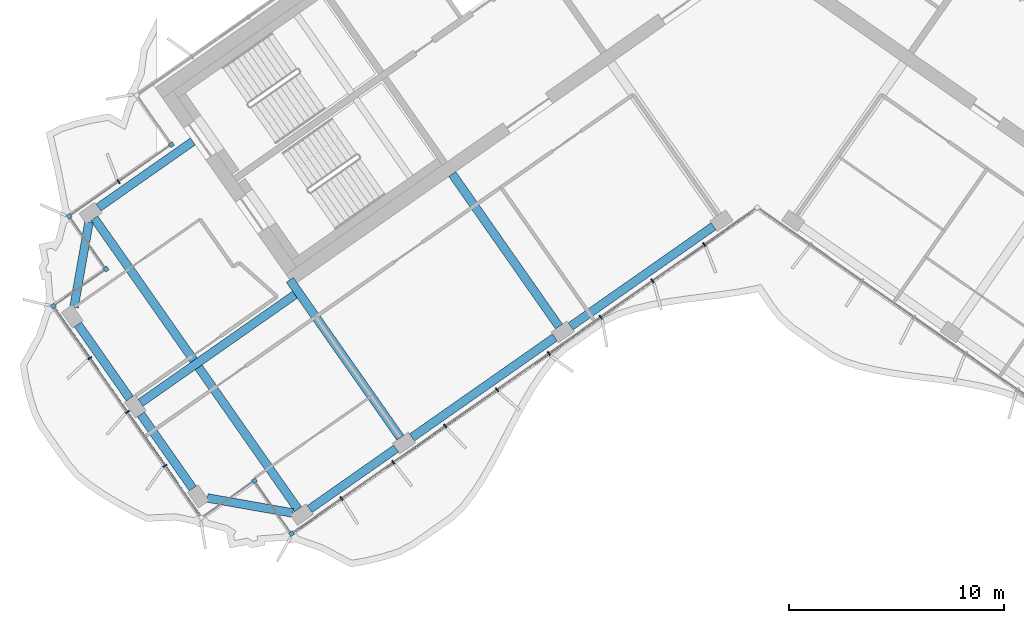
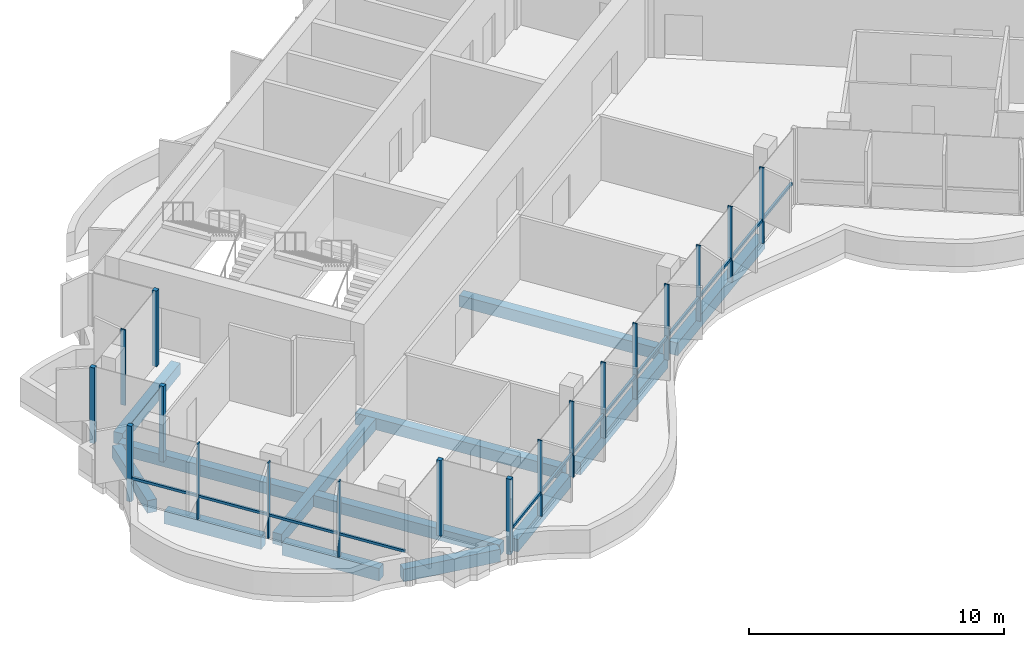
# One storey, part 2 of 18: 20 members, 12 beams, 2 elements without a shape of their own.
"""IFC4 building model written with IfcOpenShell, lengths in metres."""

from ifc_helpers import new_model, si_unit, direction, frame, origin, origin_2d, place, context, subcontext, project, spatial, rectangle, extrude, material, material_profile, profile_set, type_object, element, aggregate, save


model = new_model("IFC4")

# Units and contexts
model_context = context("Model", 3, precision=1e-05, world=origin(), true_north=direction((0.0, 1.0)))
body_context = subcontext(model_context, "Body", "Model", "MODEL_VIEW")
ifc_project = project(units=[si_unit("LENGTHUNIT", "METRE"), si_unit("AREAUNIT", "SQUARE_METRE"), si_unit("VOLUMEUNIT", "CUBIC_METRE"), si_unit("PLANEANGLEUNIT", "RADIAN"), si_unit("MASSUNIT", "GRAM", prefix="KILO")], contexts=[model_context])

# Site, building, storey
site_placement = place(None, origin())
site = spatial("IfcSite", under=ifc_project, at=site_placement, CompositionType="ELEMENT")
building_placement = place(site_placement, origin())
building = spatial("IfcBuilding", under=site, at=building_placement, Name="Tel Ilan Convention Tower", CompositionType="ELEMENT")
storey_placement = place(building_placement, frame((0.0, 0.0, 260.5)))
storey = spatial("IfcBuildingStorey", under=building, at=storey_placement, Name="L61", CompositionType="ELEMENT", Elevation=260.5)

# Beams
ifc_material_1 = material(Name="Concrete C40/50", Category="concrete")
ifc_material_profile_1 = material_profile(ifc_material_1, rectangle(XDim=0.39990234375, YDim=0.550048828125, at=origin_2d()), Name="RC 400x550")
ifc_profile_set_1 = profile_set([ifc_material_profile_1], Name="Concrete C40/50")
beam_type_1 = type_object("IfcBeamType", Name="Beam RC 400x550 Concrete C40/50", PredefinedType="BEAM", material=ifc_profile_set_1)
beam_1_placement = place(storey_placement, frame((-30.6005859375, -12.6982421875, -0.554931640625), z_axis=(0.819146154531, 0.573584847705, 0.0), x_axis=(-0.573584847705, 0.819146154531, 0.0)))
element("IfcBeam", 1, at=beam_1_placement, inside=storey, type_object=beam_type_1, Name="L61 beam W-W-BC-core", PredefinedType="BEAM", context=body_context, shape_type="SweptSolid", body=[
    extrude(rectangle(XDim=0.39990234375, YDim=0.550048828125, at=origin_2d()), origin(), (0.0, 0.0, 1.0), 5.349853515625),
])
beam_2_placement = place(storey_placement, frame((-9.209716796875, -18.229248046875, -0.554931640625), z_axis=(-0.573574099654, 0.819153680457, 0.0), x_axis=(-0.819153680457, -0.573574099654, 0.0)))
element("IfcBeam", 2, at=beam_2_placement, inside=storey, type_object=beam_type_1, Name="L61 beam W-W-F2-core", PredefinedType="BEAM", context=body_context, shape_type="SweptSolid", body=[
    extrude(rectangle(XDim=0.39990234375, YDim=0.550048828125, at=origin_2d()), origin(), (0.0, 0.0, 1.0), 8.64990234375),
])
beam_3_placement = place(storey_placement, frame((-16.58203125, -23.391357421875, -0.554931640625), z_axis=(-0.573584999642, 0.819146048141, 0.0), x_axis=(-0.819146048141, -0.573584999642, 0.0)))
element("IfcBeam", 3, at=beam_3_placement, inside=storey, type_object=beam_type_1, Name="L61 beam W-W-F3-core", PredefinedType="BEAM", context=body_context, shape_type="SweptSolid", body=[
    extrude(rectangle(XDim=0.39990234375, YDim=0.550048828125, at=origin_2d()), origin(), (0.0, 0.0, 1.0), 8.949951171875),
])
beam_4_placement = place(storey_placement, frame((-21.477783203125, -16.748046875, -0.554931640625), z_axis=(-0.819157197737, -0.573569076395, 0.0), x_axis=(0.573569076395, -0.819157197737, 0.0)))
element("IfcBeam", 4, at=beam_4_placement, inside=storey, type_object=beam_type_1, Name="L61 beam W-core-end", PredefinedType="BEAM", context=body_context, shape_type="SweptSolid", body=[
    extrude(rectangle(XDim=0.39990234375, YDim=0.550048828125, at=origin_2d()), origin(), (0.0, 0.0, 1.0), 8.75),
])
beam_5_placement = place(storey_placement, frame((-21.333251953125, -26.718017578125, -0.554931640625), z_axis=(-0.573574554643, 0.819153361872, 0.0), x_axis=(-0.819153361872, -0.573574554643, 0.0)))
element("IfcBeam", 5, at=beam_5_placement, inside=storey, type_object=beam_type_1, Name="L61 beam W-W-FC-W-BC", PredefinedType="BEAM", context=body_context, shape_type="SweptSolid", body=[
    extrude(rectangle(XDim=0.39990234375, YDim=0.550048828125, at=origin_2d()), origin(), (0.0, 0.0, 1.0), 16.499755859375),
])
ifc_material_2 = material(Name="Concrete C40/50", Category="concrete")
ifc_material_profile_2 = material_profile(ifc_material_2, rectangle(XDim=0.39990234375, YDim=0.60009765625, at=origin_2d()), Name="RC 400x600")
ifc_profile_set_2 = profile_set([ifc_material_profile_2], Name="Concrete C40/50")
beam_type_2 = type_object("IfcBeamType", Name="Beam RC 400x600 Concrete C40/50", PredefinedType="BEAM", material=ifc_profile_set_2)
beam_6_placement = place(storey_placement, frame((-2.033935546875, -13.57080078125, -0.580078125), z_axis=(-0.81914553362, -0.573585734437, 0.0), x_axis=(0.573585734437, -0.81914553362, 0.0)))
element("IfcBeam", 6, at=beam_6_placement, inside=storey, type_object=beam_type_2, Name="L61 beam W-W-F1-W-F2", PredefinedType="BEAM", context=body_context, shape_type="SweptSolid", body=[
    extrude(rectangle(XDim=0.39990234375, YDim=0.60009765625, at=origin_2d()), origin(), (0.0, 0.0, 1.0), 8.099853515625),
])
beam_7_placement = place(storey_placement, frame((-9.40625, -18.73291015625, -0.580078125), z_axis=(-0.819155449703, -0.573571572885, 0.0), x_axis=(0.573571572885, -0.819155449703, 0.0)))
element("IfcBeam", 7, at=beam_7_placement, inside=storey, type_object=beam_type_2, Name="L61 beam W-W-F2-W-F3", PredefinedType="BEAM", context=body_context, shape_type="SweptSolid", body=[
    extrude(rectangle(XDim=0.39990234375, YDim=0.60009765625, at=origin_2d()), origin(), (0.0, 0.0, 1.0), 8.10009765625),
])
beam_8_placement = place(storey_placement, frame((-16.778564453125, -23.895263671875, -0.580078125), z_axis=(-0.819154669329, -0.573572687386, 0.0), x_axis=(0.573572687386, -0.819154669329, 0.0)))
element("IfcBeam", 8, at=beam_8_placement, inside=storey, type_object=beam_type_2, Name="L61 beam W-W-F3-W-FC", PredefinedType="BEAM", context=body_context, shape_type="SweptSolid", body=[
    extrude(rectangle(XDim=0.39990234375, YDim=0.60009765625, at=origin_2d()), origin(), (0.0, 0.0, 1.0), 4.900146484375),
])
beam_9_placement = place(storey_placement, frame((-21.578857421875, -26.89013671875, -0.580078125), z_axis=(-0.984804894423, 0.173664388751, 0.0), x_axis=(-0.173664388751, -0.984804894423, 0.0)))
element("IfcBeam", 9, at=beam_9_placement, inside=storey, type_object=beam_type_2, Name="L61 beam W-W-FC-W-E1", PredefinedType="BEAM", context=body_context, shape_type="SweptSolid", body=[
    extrude(rectangle(XDim=0.39990234375, YDim=0.60009765625, at=origin_2d()), origin(), (0.0, 0.0, 1.0), 4.030517578125),
])
for number, where, z_axis, x_axis, name in (
    (10, (-26.22412109375, -25.748046875, -0.580078125), (-0.573563773994, 0.819160910421, 0.0), (-0.819160910421, -0.573563773994, 0.0), "L61 beam W-W-E1-W-E2"),
    (11, (-29.1494140625, -21.5703125, -0.580078125), (-0.573563773994, 0.819160910421, 0.0), (-0.819160910421, -0.573563773994, 0.0), "L61 beam W-W-E2-W-E3"),
):
    element("IfcBeam", number, at=place(storey_placement, frame(where, z_axis=z_axis, x_axis=x_axis)), inside=storey, type_object=beam_type_2, Name=name, PredefinedType="BEAM", context=body_context, shape_type="SweptSolid", body=[
        extrude(rectangle(XDim=0.39990234375, YDim=0.60009765625, at=origin_2d()), origin(), (0.0, 0.0, 1.0), 4.199951171875),
    ])
beam_10_placement = place(storey_placement, frame((-31.742919921875, -17.343505859375, -0.580078125), z_axis=(0.173664388751, 0.984804894423, 0.0), x_axis=(-0.984804894423, 0.173664388751, 0.0)))
element("IfcBeam", 12, at=beam_10_placement, inside=storey, type_object=beam_type_2, Name="L61 beam W-W-E3-W-BC", PredefinedType="BEAM", context=body_context, shape_type="SweptSolid", body=[
    extrude(rectangle(XDim=0.39990234375, YDim=0.60009765625, at=origin_2d()), origin(), (0.0, 0.0, 1.0), 4.030517578125),
])

# Curtain wall, member
ifc_material_3 = material(Name="Aluminium, bronze anodised", Category="aluminium")
curtain_wall_type_1 = type_object("IfcCurtainWallType", Name="CW2 STICK CURTAIN WALL, SPANDREL PANELS", PredefinedType="NOTDEFINED", material=ifc_material_3)
curtain_wall_1_placement = place(storey_placement, origin())
curtain_wall_1 = element("IfcCurtainWall", 13, at=curtain_wall_1_placement, inside=storey, type_object=curtain_wall_type_1, Name="Curtain wall CW2-46.01", PredefinedType="NOTDEFINED")
ifc_material_4 = material(Name="Aluminium, bronze anodised", Category="aluminium")
ifc_material_profile_3 = material_profile(ifc_material_4, rectangle(XDim=0.199951171875, YDim=0.199951171875, at=origin_2d()), Name="CW CORNER MULLION 200x200")
ifc_profile_set_3 = profile_set([ifc_material_profile_3], Name="Aluminium, bronze anodised")
member_type_1 = type_object("IfcMemberType", Name="CW CORNER MULLION 200x200", PredefinedType="MULLION", material=ifc_profile_set_3)
member_1_placement = place(storey_placement, frame((-27.213623046875, -9.77734375, 0.0), z_axis=(0.0, 0.0, 1.0), x_axis=(0.573576436351, -0.819152044289, 0.0)))
member_1 = element("IfcMember", 14, at=member_1_placement, type_object=member_type_1, Name="Corner mullion", PredefinedType="MULLION", context=body_context, shape_type="SweptSolid", body=[
    extrude(rectangle(XDim=0.199951171875, YDim=0.199951171875, at=origin_2d()), origin(), (0.0, 0.0, 1.0), 3.6201171875),
])
aggregate(curtain_wall_1, [member_1])

# Curtain wall, members
ifc_material_5 = material(Name="Aluminium, bronze anodised", Category="aluminium")
curtain_wall_type_2 = type_object("IfcCurtainWallType", Name="CW5 STICK CURTAIN WALL, UPPER OFFICE LOW-IRON TINTED GLASS", PredefinedType="NOTDEFINED", material=ifc_material_5)
curtain_wall_2_placement = place(storey_placement, origin())
curtain_wall_2 = element("IfcCurtainWall", 15, at=curtain_wall_2_placement, inside=storey, type_object=curtain_wall_type_2, Name="Curtain wall CW5-46.02", PredefinedType="NOTDEFINED")
member_2_placement = place(storey_placement, frame((-31.964599609375, -13.10400390625, 0.0), z_axis=(0.0, 0.0, 1.0), x_axis=(-0.819152044289, -0.573576436351, 0.0)))
member_2 = element("IfcMember", 16, at=member_2_placement, type_object=member_type_1, Name="Corner mullion", PredefinedType="MULLION", context=body_context, shape_type="SweptSolid", body=[
    extrude(rectangle(XDim=0.199951171875, YDim=0.199951171875, at=origin_2d()), origin(), (0.0, 0.0, 1.0), 3.6201171875),
])
member_3_placement = place(storey_placement, frame((-30.243896484375, -15.5615234375, 0.0), z_axis=(0.0, 0.0, 1.0), x_axis=(0.573576436351, -0.819152044289, 0.0)))
member_3 = element("IfcMember", 17, at=member_3_placement, type_object=member_type_1, Name="Corner mullion", PredefinedType="MULLION", context=body_context, shape_type="SweptSolid", body=[
    extrude(rectangle(XDim=0.199951171875, YDim=0.199951171875, at=origin_2d()), origin(), (0.0, 0.0, 1.0), 3.6201171875),
])
member_4_placement = place(storey_placement, frame((-32.701416015625, -17.2822265625, 0.0), z_axis=(0.0, 0.0, 1.0), x_axis=(-0.819152044289, -0.573576436351, 0.0)))
member_4 = element("IfcMember", 18, at=member_4_placement, type_object=member_type_1, Name="Corner mullion", PredefinedType="MULLION", context=body_context, shape_type="SweptSolid", body=[
    extrude(rectangle(XDim=0.199951171875, YDim=0.199951171875, at=origin_2d()), origin(), (0.0, 0.0, 1.0), 3.6201171875),
])
member_5_placement = place(storey_placement, frame((-23.36083984375, -25.391357421875, 0.0), z_axis=(0.0, 0.0, 1.0), x_axis=(0.819152044289, 0.573576436351, 0.0)))
member_5 = element("IfcMember", 19, at=member_5_placement, type_object=member_type_1, Name="Corner mullion", PredefinedType="MULLION", context=body_context, shape_type="SweptSolid", body=[
    extrude(rectangle(XDim=0.199951171875, YDim=0.199951171875, at=origin_2d()), origin(), (0.0, 0.0, 1.0), 3.6201171875),
])
member_6_placement = place(storey_placement, frame((-21.64013671875, -27.8486328125, 0.0), z_axis=(0.0, 0.0, 1.0), x_axis=(0.573576436351, -0.819152044289, 0.0)))
member_6 = element("IfcMember", 20, at=member_6_placement, type_object=member_type_1, Name="Corner mullion", PredefinedType="MULLION", context=body_context, shape_type="SweptSolid", body=[
    extrude(rectangle(XDim=0.199951171875, YDim=0.199951171875, at=origin_2d()), origin(), (0.0, 0.0, 1.0), 3.6201171875),
])
ifc_material_6 = material(Name="Aluminium, bronze anodised", Category="aluminium")
ifc_material_profile_4 = material_profile(ifc_material_6, rectangle(XDim=0.06005859375, YDim=0.199951171875, at=origin_2d()), Name="CW MULLION 60x200")
ifc_profile_set_4 = profile_set([ifc_material_profile_4], Name="Aluminium, bronze anodised")
member_type_2 = type_object("IfcMemberType", Name="CW MULLION 60x200", PredefinedType="MULLION", material=ifc_profile_set_4)
member_7_placement = place(storey_placement, frame((-29.6708984375, -11.498046875, 0.0), z_axis=(0.0, 0.0, 1.0), x_axis=(-0.819152044289, -0.573576436351, 0.0)))
member_7 = element("IfcMember", 21, at=member_7_placement, type_object=member_type_2, Name="Mullion", PredefinedType="MULLION", context=body_context, shape_type="SweptSolid", body=[
    extrude(rectangle(XDim=0.06005859375, YDim=0.199951171875, at=origin_2d()), origin(), (0.0, 0.0, 1.0), 3.6201171875),
])
member_8_placement = place(storey_placement, frame((-31.00927734375, -19.69873046875, 0.0), z_axis=(0.0, 0.0, 1.0), x_axis=(0.573576436351, -0.819152044289, 0.0)))
member_8 = element("IfcMember", 22, at=member_8_placement, type_object=member_type_2, Name="Mullion", PredefinedType="MULLION", context=body_context, shape_type="SweptSolid", body=[
    extrude(rectangle(XDim=0.06005859375, YDim=0.199951171875, at=origin_2d()), origin(), (0.0, 0.0, 1.0), 3.6201171875),
])
member_9_placement = place(storey_placement, frame((-29.259765625, -22.197021484375, 0.0), z_axis=(0.0, 0.0, 1.0), x_axis=(0.573576436351, -0.819152044289, 0.0)))
member_9 = element("IfcMember", 23, at=member_9_placement, type_object=member_type_2, Name="Mullion", PredefinedType="MULLION", context=body_context, shape_type="SweptSolid", body=[
    extrude(rectangle(XDim=0.06005859375, YDim=0.199951171875, at=origin_2d()), origin(), (0.0, 0.0, 1.0), 3.6201171875),
])
member_10_placement = place(storey_placement, frame((-27.510498046875, -24.695556640625, 0.0), z_axis=(0.0, 0.0, 1.0), x_axis=(0.573576436351, -0.819152044289, 0.0)))
member_10 = element("IfcMember", 24, at=member_10_placement, type_object=member_type_2, Name="Mullion", PredefinedType="MULLION", context=body_context, shape_type="SweptSolid", body=[
    extrude(rectangle(XDim=0.06005859375, YDim=0.199951171875, at=origin_2d()), origin(), (0.0, 0.0, 1.0), 3.6201171875),
])
member_11_placement = place(storey_placement, frame((-19.31494140625, -26.220458984375, 0.0), z_axis=(0.0, 0.0, 1.0), x_axis=(0.819152044289, 0.573576436351, 0.0)))
member_11 = element("IfcMember", 25, at=member_11_placement, type_object=member_type_2, Name="Mullion", PredefinedType="MULLION", context=body_context, shape_type="SweptSolid", body=[
    extrude(rectangle(XDim=0.06005859375, YDim=0.199951171875, at=origin_2d()), origin(), (0.0, 0.0, 1.0), 3.6201171875),
])
member_12_placement = place(storey_placement, frame((-16.90771484375, -24.534912109375, 0.0), z_axis=(0.0, 0.0, 1.0), x_axis=(0.819152044289, 0.573576436351, 0.0)))
member_12 = element("IfcMember", 26, at=member_12_placement, type_object=member_type_2, Name="Mullion", PredefinedType="MULLION", context=body_context, shape_type="SweptSolid", body=[
    extrude(rectangle(XDim=0.06005859375, YDim=0.199951171875, at=origin_2d()), origin(), (0.0, 0.0, 1.0), 3.6201171875),
])
member_13_placement = place(storey_placement, frame((-14.50048828125, -22.849365234375, 0.0), z_axis=(0.0, 0.0, 1.0), x_axis=(0.819152044289, 0.573576436351, 0.0)))
member_13 = element("IfcMember", 27, at=member_13_placement, type_object=member_type_2, Name="Mullion", PredefinedType="MULLION", context=body_context, shape_type="SweptSolid", body=[
    extrude(rectangle(XDim=0.06005859375, YDim=0.199951171875, at=origin_2d()), origin(), (0.0, 0.0, 1.0), 3.6201171875),
])
member_14_placement = place(storey_placement, frame((-12.09326171875, -21.163818359375, 0.0), z_axis=(0.0, 0.0, 1.0), x_axis=(0.819152044289, 0.573576436351, 0.0)))
member_14 = element("IfcMember", 28, at=member_14_placement, type_object=member_type_2, Name="Mullion", PredefinedType="MULLION", context=body_context, shape_type="SweptSolid", body=[
    extrude(rectangle(XDim=0.06005859375, YDim=0.199951171875, at=origin_2d()), origin(), (0.0, 0.0, 1.0), 3.6201171875),
])
member_15_placement = place(storey_placement, frame((-9.68603515625, -19.478271484375, 0.0), z_axis=(0.0, 0.0, 1.0), x_axis=(0.819152044289, 0.573576436351, 0.0)))
member_15 = element("IfcMember", 29, at=member_15_placement, type_object=member_type_2, Name="Mullion", PredefinedType="MULLION", context=body_context, shape_type="SweptSolid", body=[
    extrude(rectangle(XDim=0.06005859375, YDim=0.199951171875, at=origin_2d()), origin(), (0.0, 0.0, 1.0), 3.6201171875),
])
member_16_placement = place(storey_placement, frame((-7.279052734375, -17.792724609375, 0.0), z_axis=(0.0, 0.0, 1.0), x_axis=(0.819152044289, 0.573576436351, 0.0)))
member_16 = element("IfcMember", 30, at=member_16_placement, type_object=member_type_2, Name="Mullion", PredefinedType="MULLION", context=body_context, shape_type="SweptSolid", body=[
    extrude(rectangle(XDim=0.06005859375, YDim=0.199951171875, at=origin_2d()), origin(), (0.0, 0.0, 1.0), 3.6201171875),
])
member_17_placement = place(storey_placement, frame((-4.871826171875, -16.107177734375, 0.0), z_axis=(0.0, 0.0, 1.0), x_axis=(0.819152044289, 0.573576436351, 0.0)))
member_17 = element("IfcMember", 31, at=member_17_placement, type_object=member_type_2, Name="Mullion", PredefinedType="MULLION", context=body_context, shape_type="SweptSolid", body=[
    extrude(rectangle(XDim=0.06005859375, YDim=0.199951171875, at=origin_2d()), origin(), (0.0, 0.0, 1.0), 3.6201171875),
])
member_18_placement = place(storey_placement, frame((-2.464599609375, -14.421875, 0.0), z_axis=(0.0, 0.0, 1.0), x_axis=(0.819152044289, 0.573576436351, 0.0)))
member_18 = element("IfcMember", 32, at=member_18_placement, type_object=member_type_2, Name="Mullion", PredefinedType="MULLION", context=body_context, shape_type="SweptSolid", body=[
    extrude(rectangle(XDim=0.06005859375, YDim=0.199951171875, at=origin_2d()), origin(), (0.0, 0.0, 1.0), 3.6201171875),
])
ifc_material_7 = material(Name="Aluminium, bronze anodised", Category="aluminium")
ifc_material_profile_5 = material_profile(ifc_material_7, rectangle(XDim=0.10009765625, YDim=0.1201171875, at=origin_2d()), Name="CW TRANSOM 100x120")
ifc_profile_set_5 = profile_set([ifc_material_profile_5], Name="Aluminium, bronze anodised")
member_type_3 = type_object("IfcMemberType", Name="CW TRANSOM 100x120", PredefinedType="USERDEFINED", material=ifc_profile_set_5)
member_19_placement = place(storey_placement, frame((-32.64404296875, -17.364013671875, 1.10009765625), z_axis=(0.573581755582, -0.819148319698, 0.0), x_axis=(0.819148319698, 0.573581755582, 0.0)))
member_19 = element("IfcMember", 33, at=member_19_placement, type_object=member_type_3, Name="Transom", ObjectType="TRANSOM", PredefinedType="USERDEFINED", context=body_context, shape_type="SweptSolid", body=[
    extrude(rectangle(XDim=0.10009765625, YDim=0.1201171875, at=origin_2d()), origin(), (0.0, 0.0, 1.0), 11.800048828125),
])
member_20_placement = place(storey_placement, frame((-21.558349609375, -27.791259765625, 1.10009765625), z_axis=(0.819152212587, 0.573576195996, 0.0), x_axis=(-0.573576195996, 0.819152212587, 0.0)))
member_20 = element("IfcMember", 34, at=member_20_placement, type_object=member_type_3, Name="Transom", ObjectType="TRANSOM", PredefinedType="USERDEFINED", context=body_context, shape_type="SweptSolid", body=[
    extrude(rectangle(XDim=0.10009765625, YDim=0.1201171875, at=origin_2d()), origin(), (0.0, 0.0, 1.0), 26.0478515625),
])
aggregate(curtain_wall_2, [member_7, member_2, member_3, member_4, member_8, member_9, member_10, member_19, member_5, member_6, member_11, member_12, member_13, member_14, member_15, member_16, member_17, member_18, member_20])

save(model, "model.ifc")
